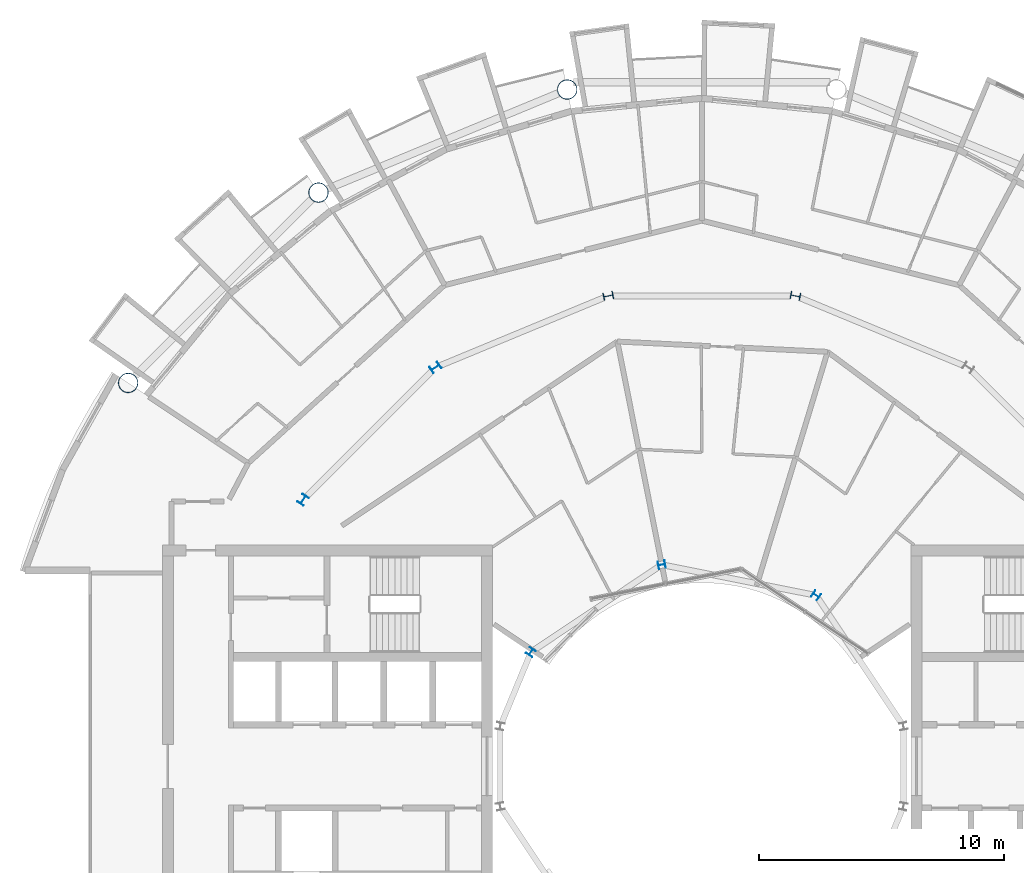
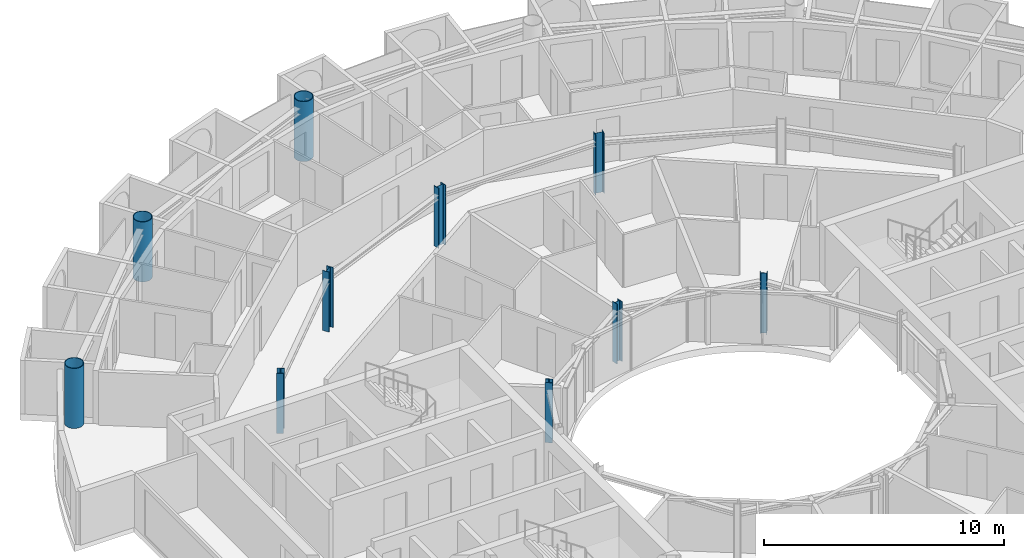
# One storey, part 4 of 29: 10 columns.
"""IFC4 building model written with IfcOpenShell, lengths in metres."""

from ifc_helpers import new_model, si_unit, direction, frame, origin, origin_2d, place, context, subcontext, project, spatial, hollow_circle, i_section, extrude, material, material_profile, profile_set, type_object, element, save


model = new_model("IFC4")

# Units and contexts
model_context = context("Model", 3, precision=1e-05, world=origin(), true_north=direction((0.0, 1.0)))
body_context = subcontext(model_context, "Body", "Model", "MODEL_VIEW")
ifc_project = project(units=[si_unit("LENGTHUNIT", "METRE"), si_unit("AREAUNIT", "SQUARE_METRE"), si_unit("VOLUMEUNIT", "CUBIC_METRE"), si_unit("PLANEANGLEUNIT", "RADIAN"), si_unit("MASSUNIT", "GRAM", prefix="KILO")], contexts=[model_context])

# Site, building, storey
site_placement = place(None, origin())
site = spatial("IfcSite", under=ifc_project, at=site_placement, CompositionType="ELEMENT")
building_placement = place(site_placement, origin())
building = spatial("IfcBuilding", under=site, at=building_placement, Name="Maasbend Ring Residences", CompositionType="ELEMENT")
storey_placement = place(building_placement, frame((0.0, 0.0, 193.25)))
storey = spatial("IfcBuildingStorey", under=building, at=storey_placement, Name="L55", CompositionType="ELEMENT", Elevation=193.25)

# Columns
ifc_material_1 = material(Name="Composite concrete-filled steel tube S460NH / C80/95", Category="concrete")
ifc_material_profile_1 = material_profile(ifc_material_1, hollow_circle(Radius=0.406494140625, WallThickness=0.030029296875, at=origin_2d()), Name="Composite tube column CHS 813x30")
ifc_profile_set_1 = profile_set([ifc_material_profile_1], Name="Composite concrete-filled steel tube S460NH / C80/95")
column_type_1 = type_object("IfcColumnType", Name="Composite tube column CHS 813x30", PredefinedType="COLUMN", material=ifc_profile_set_1)
for number, where, z_axis, x_axis, name in (
    (1, (-5.50146484375, 27.658203125, 0.0), (0.0, 0.0, 1.0), (1.0, 0.0, 0.0), "Outer column R5"),
    (2, (-15.6669921875, 23.447509765625, 0.0), (0.0, 0.0, 1.0), (1.0, 0.0, 0.0), "Outer column R6"),
    (3, (-23.447509765625, 15.6669921875, 0.0), (0.0, 0.0, 1.0), (1.0, 0.0, 0.0), "Outer column R7"),
):
    element("IfcColumn", number, at=place(storey_placement, frame(where, z_axis=z_axis, x_axis=x_axis)), inside=storey, type_object=column_type_1, Name=name, PredefinedType="COLUMN", context=body_context, shape_type="SweptSolid", body=[
        extrude(hollow_circle(Radius=0.406494140625, WallThickness=0.030029296875, at=origin_2d()), origin(), (0.0, 0.0, 1.0), 3.050048828125),
    ])
ifc_material_2 = material(Name="Steel S355J2", Category="steel")
ifc_material_profile_2 = material_profile(ifc_material_2, i_section(OverallWidth=0.300048828125, OverallDepth=0.2900390625, WebThickness=0.008544921875, FlangeThickness=0.013916015625, FilletRadius=0.027099609375, at=origin_2d()), Name="HEA 300")
ifc_profile_set_2 = profile_set([ifc_material_profile_2], Name="Steel S355J2")
column_type_2 = type_object("IfcColumnType", Name="Steel column HEA 300", PredefinedType="COLUMN", material=ifc_profile_set_2)
for number, where, z_axis, x_axis, name in (
    (4, (4.666748046875, 6.984375, 0.0), (0.0, 0.0, 1.0), (0.55557023302, 0.831469612303, 0.0), "Well ring column R3"),
    (5, (-1.638916015625, 8.238525390625, 0.0), (0.0, 0.0, 1.0), (-0.195090322016, 0.980785280403, 0.0), "Well ring column R5"),
    (6, (-6.984375, 4.666748046875, 0.0), (0.0, 0.0, 1.0), (-0.831469612303, 0.55557023302, 0.0), "Well ring column R7"),
):
    element("IfcColumn", number, at=place(storey_placement, frame(where, z_axis=z_axis, x_axis=x_axis)), inside=storey, type_object=column_type_2, Name=name, PredefinedType="COLUMN", context=body_context, shape_type="SweptSolid", body=[
        extrude(i_section(OverallWidth=0.300048828125, OverallDepth=0.2900390625, WebThickness=0.008544921875, FlangeThickness=0.013916015625, FilletRadius=0.027099609375, at=origin_2d()), origin(), (0.0, 0.0, 1.0), 3.050048828125),
    ])
ifc_material_3 = material(Name="Steel S355J2", Category="steel")
ifc_material_profile_3 = material_profile(ifc_material_3, i_section(OverallWidth=0.300048828125, OverallDepth=0.39990234375, WebThickness=0.013427734375, FlangeThickness=0.02392578125, FilletRadius=0.027099609375, at=origin_2d()), Name="HEB 400")
ifc_profile_set_3 = profile_set([ifc_material_profile_3], Name="Steel S355J2")
column_type_3 = type_object("IfcColumnType", Name="Steel column HEB 400", PredefinedType="COLUMN", material=ifc_profile_set_3)
for number, where, z_axis, x_axis, name in (
    (7, (3.82373046875, 19.223388671875, 0.0), (0.0, 0.0, 1.0), (0.195090322016, 0.980785280403, 0.0), "Corridor ring column R4"),
    (8, (-3.82373046875, 19.223388671875, 0.0), (0.0, 0.0, 1.0), (-0.195090322016, 0.980785280403, 0.0), "Corridor ring column R5"),
    (9, (-10.88916015625, 16.296875, 0.0), (0.0, 0.0, 1.0), (-0.55557023302, 0.831469612303, 0.0), "Corridor ring column R6"),
    (10, (-16.296875, 10.88916015625, 0.0), (0.0, 0.0, 1.0), (-0.831469612303, 0.55557023302, 0.0), "Corridor ring column R7"),
):
    element("IfcColumn", number, at=place(storey_placement, frame(where, z_axis=z_axis, x_axis=x_axis)), inside=storey, type_object=column_type_3, Name=name, PredefinedType="COLUMN", context=body_context, shape_type="SweptSolid", body=[
        extrude(i_section(OverallWidth=0.300048828125, OverallDepth=0.39990234375, WebThickness=0.013427734375, FlangeThickness=0.02392578125, FilletRadius=0.027099609375, at=origin_2d()), origin(), (0.0, 0.0, 1.0), 3.050048828125),
    ])

save(model, "model.ifc")
